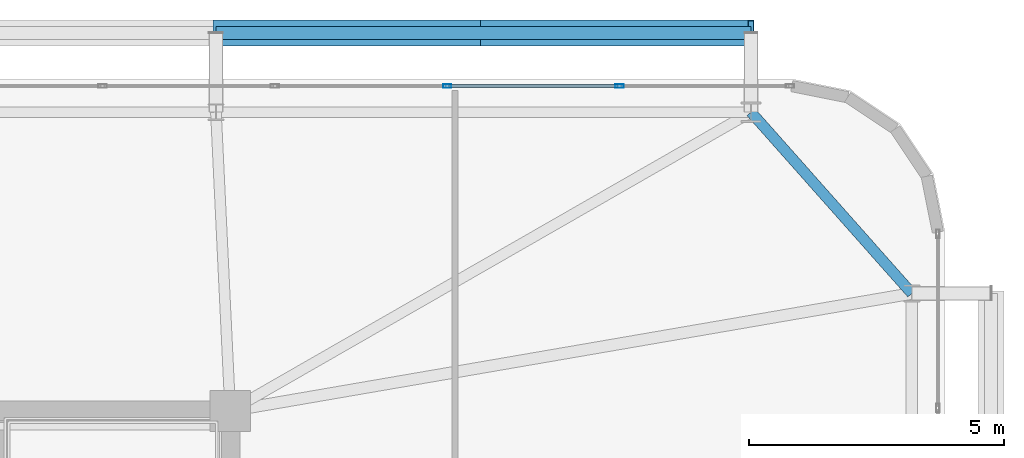
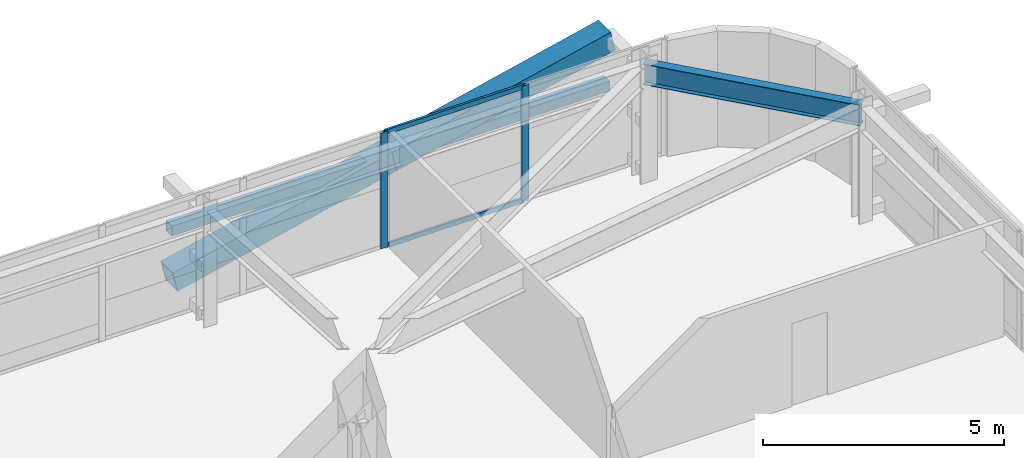
# One storey, part 40 of 59: 7 members, 1 beam, 1 element without a shape of its own.
"""IFC4 building model written with IfcOpenShell, lengths in metres."""

from ifc_helpers import new_model, si_unit, direction, frame, origin, origin_2d, place, context, subcontext, project, spatial, hollow_rectangle, i_section, extrude, source, transform, mapped, material, layer, layer_set, material_profile, profile_set, type_object, element, aggregate, save


model = new_model("IFC4")

# Units and contexts
model_context = context("Model", 3, precision=1e-05, world=origin(), true_north=direction((0.0, 1.0)))
body_context = subcontext(model_context, "Body", "Model", "MODEL_VIEW")
ifc_project = project(units=[si_unit("LENGTHUNIT", "METRE"), si_unit("AREAUNIT", "SQUARE_METRE"), si_unit("VOLUMEUNIT", "CUBIC_METRE"), si_unit("PLANEANGLEUNIT", "RADIAN"), si_unit("MASSUNIT", "GRAM", prefix="KILO")], contexts=[model_context])

# Site, building, storey
site_placement = place(None, origin())
site = spatial("IfcSite", under=ifc_project, at=site_placement, CompositionType="ELEMENT")
building_placement = place(site_placement, origin())
building = spatial("IfcBuilding", under=site, at=building_placement, Name="Taldren Reach Tower", CompositionType="ELEMENT")
storey_placement = place(building_placement, frame((0.0, 0.0, 29.39990234375)))
storey = spatial("IfcBuildingStorey", under=building, at=storey_placement, Name="L08", CompositionType="ELEMENT", Elevation=29.39990234375)

# Beam
ifc_material_1 = material(Name="Steel Gr 350 (350PLUS)", Category="steel")
ifc_material_profile_1 = material_profile(ifc_material_1, i_section(OverallWidth=0.208984375, OverallDepth=0.528076171875, WebThickness=0.009521484375, FlangeThickness=0.01318359375, at=origin_2d()), Name="530UB82.0")
ifc_profile_set_1 = profile_set([ifc_material_profile_1], Name="Steel Gr 350 (350PLUS)")
beam_type = type_object("IfcBeamType", Name="SP-UB530B", PredefinedType="SPANDREL", material=ifc_profile_set_1)
shared_shape_1 = source(origin(), body_context, "Body", "SweptSolid", [
    extrude(i_section(OverallWidth=0.208984375, OverallDepth=0.528076171875, WebThickness=0.009521484375, FlangeThickness=0.01318359375, at=origin_2d()), origin(), (0.0, 0.0, 1.0), 4.74609375),
])
beam_placement = place(storey_placement, frame((64.35009765625, 34.300048828125, 2.666015625), z_axis=(-0.663721843779, 0.747979487747, 0.0), x_axis=(-0.747979487747, -0.663721843779, 0.0)))
element("IfcBeam", 1, at=beam_placement, inside=storey, type_object=beam_type, Name="Perimeter spandrel B1 E3-N6 L08", PredefinedType="SPANDREL", context=body_context, shape_type="MappedRepresentation", body=[
    mapped(shared_shape_1, transform((0.0, 0.0, 0.0), scale=1.0)),
])

# Members
ifc_material_2 = material(Name="Steel Gr 450 (C450L0)", Category="steel")
ifc_material_profile_2 = material_profile(ifc_material_2, hollow_rectangle(XDim=0.510009765625, YDim=0.510009765625, WallThickness=0.02001953125, at=origin_2d()), Name="510x510x20.0SHS")
ifc_profile_set_2 = profile_set([ifc_material_profile_2], Name="Steel Gr 450 (C450L0)")
member_type_1 = type_object("IfcMemberType", Name="MB-EXO508", PredefinedType="BRACE", material=ifc_profile_set_2)
shared_shape_2 = source(origin(), body_context, "Body", "SweptSolid", [
    extrude(hollow_rectangle(XDim=0.510009765625, YDim=0.510009765625, WallThickness=0.02001953125, at=origin_2d()), origin(), (0.0, 0.0, 1.0), 5.37890625),
])
for number, where, z_axis, x_axis, name in (
    (2, (50.719970703125, 39.39990234375, 0.22021484375), (0.974161966843, 0.0, 0.225850531007), (0.0, 1.0, 0.0), "Exoskeleton Diagrid Brace B1-N5 L08"),
    (3, (55.9599609375, 39.39990234375, 1.43505859375), (0.97415197996, 0.0, 0.225893603143), (0.0, 1.0, 0.0), "Exoskeleton Diagrid Brace B1-N5 L08"),
):
    element("IfcMember", number, at=place(storey_placement, frame(where, z_axis=z_axis, x_axis=x_axis)), inside=storey, type_object=member_type_1, Name=name, PredefinedType="BRACE", context=body_context, shape_type="MappedRepresentation", body=[
        mapped(shared_shape_2, transform((0.0, 0.0, 0.0), scale=1.0)),
    ])
ifc_material_3 = material(Name="Steel Gr 350 (C350L0)", Category="steel")
ifc_material_profile_3 = material_profile(ifc_material_3, hollow_rectangle(XDim=0.25, YDim=0.25, WallThickness=0.010009765625, at=origin_2d()), Name="250x250x10.0SHS")
ifc_profile_set_3 = profile_set([ifc_material_profile_3], Name="Steel Gr 350 (C350L0)")
member_type_2 = type_object("IfcMemberType", Name="MB-POST250", PredefinedType="POST", material=ifc_profile_set_3)
shared_shape_3 = source(origin(), body_context, "Body", "SweptSolid", [
    extrude(hollow_rectangle(XDim=0.25, YDim=0.25, WallThickness=0.010009765625, at=origin_2d()), origin(), (0.0, 0.0, 1.0), 10.47998046875),
])
member_1_placement = place(storey_placement, frame((50.719970703125, 39.39990234375, 1.43505859375), z_axis=(1.0, 0.0, 0.0), x_axis=(0.0, 1.0, 0.0)))
element("IfcMember", 4, at=member_1_placement, inside=storey, type_object=member_type_2, Name="Exoskeleton mid-height ring chord B1-N5 L08", PredefinedType="POST", context=body_context, shape_type="MappedRepresentation", body=[
    mapped(shared_shape_3, transform((0.0, 0.0, 0.0), scale=1.0)),
])

# Curtain wall, members
ifc_material_4 = material(Name="Aluminium and Low-E Glass Unitised System", Category="aluminium")
ifc_layer = layer(ifc_material_4, 0.159912109375)
ifc_layer_set = layer_set([ifc_layer], Name="Aluminium and Low-E Glass Unitised System")
curtain_wall_type = type_object("IfcCurtainWallType", Name="CW-SYS-2", PredefinedType="NOTDEFINED", material=ifc_layer_set)
curtain_wall_placement = place(storey_placement, origin())
curtain_wall = element("IfcCurtainWall", 5, at=curtain_wall_placement, inside=storey, type_object=curtain_wall_type, Name="Unitised curtain wall CW-L08-N", PredefinedType="NOTDEFINED")
ifc_material_5 = material(Name="Anodised Aluminium 6063-T6", Category="aluminium")
ifc_material_profile_4 = material_profile(ifc_material_5, hollow_rectangle(XDim=0.054931640625, YDim=0.1201171875, WallThickness=0.0029296875, at=origin_2d()), Name="ALU-120x55x3RHS")
ifc_profile_set_4 = profile_set([ifc_material_profile_4], Name="Anodised Aluminium 6063-T6")
member_type_3 = type_object("IfcMemberType", Name="CW-TRN-135", PredefinedType="USERDEFINED", material=ifc_profile_set_4)
shared_shape_4 = source(origin(), body_context, "Body", "SweptSolid", [
    extrude(hollow_rectangle(XDim=0.054931640625, YDim=0.1201171875, WallThickness=0.0029296875, at=origin_2d()), origin(), (0.0, 0.0, 1.0), 3.31005859375),
])
member_2_placement = place(storey_placement, frame((58.592529296875, 38.360107421875, 0.027587890625), z_axis=(-1.0, 0.0, 0.0), x_axis=(0.0, -1.0, 0.0)))
member_2 = element("IfcMember", 6, at=member_2_placement, type_object=member_type_3, Name="CW-2 transom 2.1", ObjectType="TRANSOM", PredefinedType="USERDEFINED", context=body_context, shape_type="MappedRepresentation", body=[
    mapped(shared_shape_4, transform((0.0, 0.0, 0.0), scale=1.0)),
])
member_3_placement = place(storey_placement, frame((58.592529296875, 38.360107421875, 2.902587890625), z_axis=(-1.0, 0.0, 0.0), x_axis=(0.0, -1.0, 0.0)))
member_3 = element("IfcMember", 7, at=member_3_placement, type_object=member_type_3, Name="CW-2 transom 2.2", ObjectType="TRANSOM", PredefinedType="USERDEFINED", context=body_context, shape_type="MappedRepresentation", body=[
    mapped(shared_shape_4, transform((0.0, 0.0, 0.0), scale=1.0)),
])
ifc_material_profile_5 = material_profile(ifc_material_5, hollow_rectangle(XDim=0.06494140625, YDim=0.1650390625, WallThickness=0.00390625, at=origin_2d()), Name="ALU-165x65x4RHS")
ifc_profile_set_5 = profile_set([ifc_material_profile_5], Name="Anodised Aluminium 6063-T6")
member_type_4 = type_object("IfcMemberType", Name="CW-MUL-165", PredefinedType="MULLION", material=ifc_profile_set_5)
shared_shape_5 = source(origin(), body_context, "Body", "SweptSolid", [
    extrude(hollow_rectangle(XDim=0.06494140625, YDim=0.1650390625, WallThickness=0.00390625, at=origin_2d()), origin(), (0.0, 0.0, 1.0), 2.93017578125),
])
member_4_placement = place(storey_placement, frame((58.625, 38.360107421875, 0.0), z_axis=(0.0, 0.0, 1.0), x_axis=(0.0, -1.0, 0.0)))
member_4 = element("IfcMember", 8, at=member_4_placement, type_object=member_type_4, Name="CW-2 mullion 2", PredefinedType="MULLION", context=body_context, shape_type="MappedRepresentation", body=[
    mapped(shared_shape_5, transform((0.0, 0.0, 0.0), scale=1.0)),
])
member_5_placement = place(storey_placement, frame((55.25, 38.360107421875, 0.0), z_axis=(0.0, 0.0, 1.0), x_axis=(0.0, -1.0, 0.0)))
member_5 = element("IfcMember", 9, at=member_5_placement, type_object=member_type_4, Name="CW-2 mullion 3", PredefinedType="MULLION", context=body_context, shape_type="MappedRepresentation", body=[
    mapped(shared_shape_5, transform((0.0, 0.0, 0.0), scale=1.0)),
])
aggregate(curtain_wall, [member_4, member_5, member_2, member_3])

save(model, "model.ifc")
